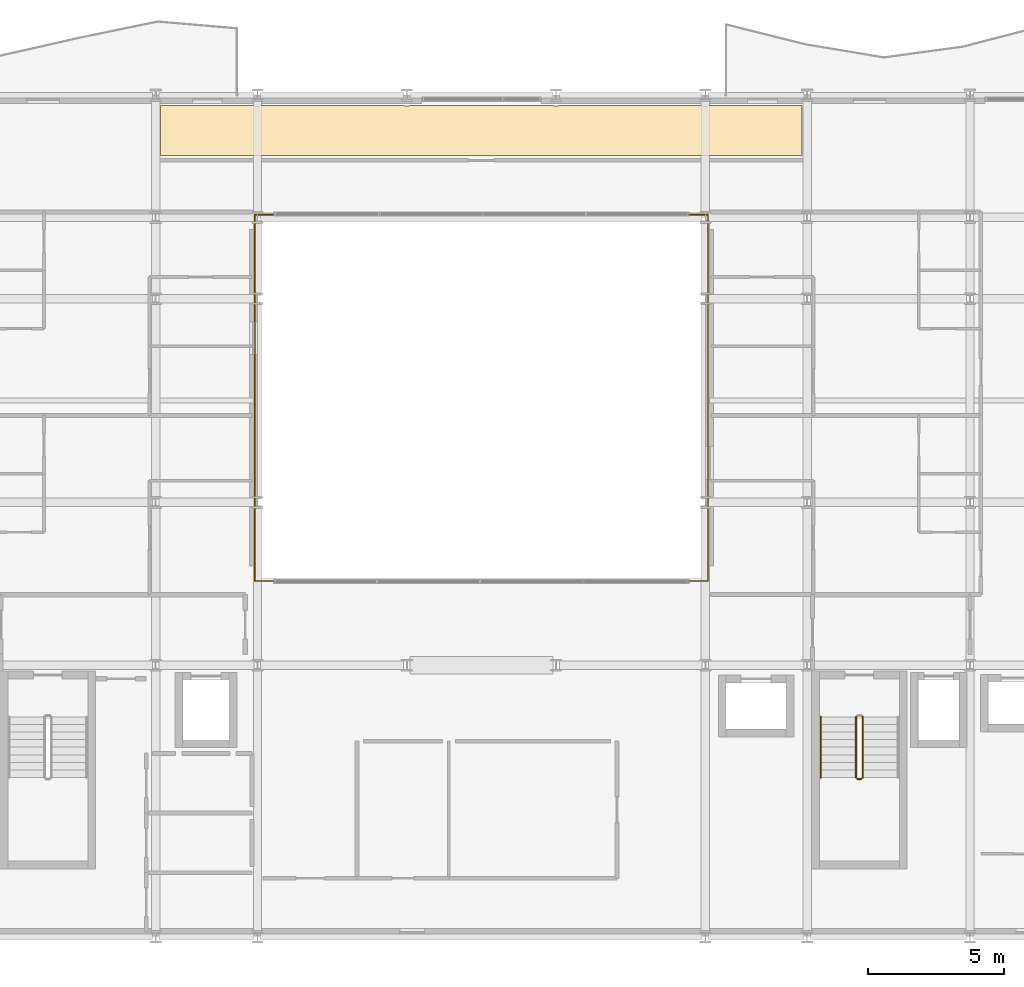
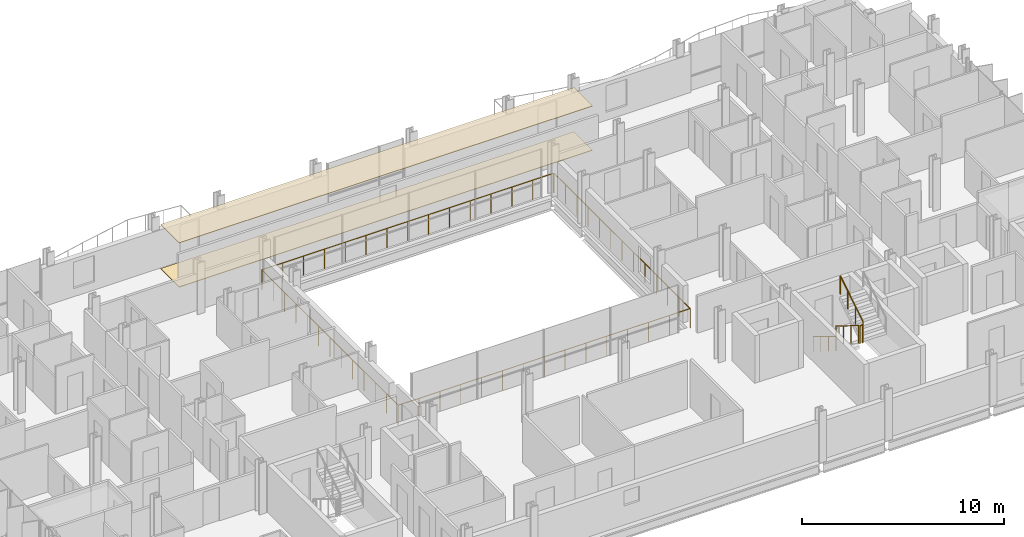
# One storey, part 37 of 39: 6 railings, 2 coverings.
"""IFC4 building model written with IfcOpenShell, lengths in metres."""

from ifc_helpers import new_model, si_unit, direction, frame, origin, origin_2d, place, context, subcontext, project, spatial, polyline, circle, outline, extrude, material, layer, layer_set, type_object, element, save


model = new_model("IFC4")

# Units and contexts
model_context = context("Model", 3, precision=1e-05, world=origin(), true_north=direction((0.0, 1.0)))
body_context = subcontext(model_context, "Body", "Model", "MODEL_VIEW")
ifc_project = project(units=[si_unit("LENGTHUNIT", "METRE"), si_unit("AREAUNIT", "SQUARE_METRE"), si_unit("VOLUMEUNIT", "CUBIC_METRE"), si_unit("PLANEANGLEUNIT", "RADIAN"), si_unit("MASSUNIT", "GRAM", prefix="KILO")], contexts=[model_context])

# Site, building, storey
site_placement = place(None, origin())
site = spatial("IfcSite", under=ifc_project, at=site_placement, CompositionType="ELEMENT")
building_placement = place(site_placement, origin())
building = spatial("IfcBuilding", under=site, at=building_placement, Name="Brevholm Reach", CompositionType="ELEMENT")
storey_placement = place(building_placement, frame((0.0, 0.0, 77.60009765625)))
storey = spatial("IfcBuildingStorey", under=building, at=storey_placement, Name="L22", CompositionType="ELEMENT", Elevation=77.60009765625)

# Coverings
ifc_material_1 = material(Name="Moisture-Resistant Skimmed Gypsum Plasterboard Ceiling", Category="gypsum")
ifc_layer_1 = layer(ifc_material_1, 0.030029296875)
ifc_layer_set_1 = layer_set([ifc_layer_1], Name="Moisture-Resistant Skimmed Gypsum Plasterboard Ceiling")
covering_type_1 = type_object("IfcCoveringType", Name="COV-CLG-GYP", PredefinedType="CEILING", material=ifc_layer_set_1)
covering_1_placement = place(storey_placement, frame((0.0, 0.0, 2.669921875)))
element("IfcCovering", 1, at=covering_1_placement, inside=storey, type_object=covering_type_1, Name="L22 Suspended Ceiling L22-81", PredefinedType="CEILING", context=body_context, shape_type="SweptSolid", body=[
    extrude(outline(polyline([(18.179931640625, 30.6201171875), (21.626220703125, 30.6201171875), (21.6337890625, 30.6171875), (21.672119140625, 30.607666015625), (21.710693359375, 30.601806640625), (21.75, 30.60009765625), (21.789306640625, 30.601806640625), (21.827880859375, 30.607666015625), (21.8662109375, 30.6171875), (21.873779296875, 30.6201171875), (27.126220703125, 30.6201171875), (27.1337890625, 30.6171875), (27.172119140625, 30.607666015625), (27.210693359375, 30.601806640625), (27.25, 30.60009765625), (27.289306640625, 30.601806640625), (27.327880859375, 30.607666015625), (27.3662109375, 30.6171875), (27.373779296875, 30.6201171875), (32.626220703125, 30.6201171875), (32.6337890625, 30.6171875), (32.672119140625, 30.607666015625), (32.710693359375, 30.601806640625), (32.75, 30.60009765625), (32.789306640625, 30.601806640625), (32.827880859375, 30.607666015625), (32.8662109375, 30.6171875), (32.873779296875, 30.6201171875), (38.126220703125, 30.6201171875), (38.1337890625, 30.6171875), (38.172119140625, 30.607666015625), (38.210693359375, 30.601806640625), (38.25, 30.60009765625), (38.289306640625, 30.601806640625), (38.327880859375, 30.607666015625), (38.3662109375, 30.6171875), (38.373779296875, 30.6201171875), (41.820068359375, 30.6201171875), (41.820068359375, 28.783935546875), (18.179931640625, 28.783935546875), (18.179931640625, 30.6201171875)])), origin(), (0.0, 0.0, 1.0), 0.030029296875),
])
ifc_material_2 = material(Name="Honed Portland-Aggregate Resin Terrazzo Flooring", Category="concrete")
ifc_layer_2 = layer(ifc_material_2, 0.031982421875)
ifc_layer_set_2 = layer_set([ifc_layer_2], Name="Honed Portland-Aggregate Resin Terrazzo Flooring")
covering_type_2 = type_object("IfcCoveringType", Name="COV-FLR-TRZ", PredefinedType="FLOORING", material=ifc_layer_set_2)
covering_2_placement = place(storey_placement, origin())
element("IfcCovering", 2, at=covering_2_placement, inside=storey, type_object=covering_type_2, Name="L22 Floor Finish L22-81", PredefinedType="FLOORING", context=body_context, shape_type="SweptSolid", body=[
    extrude(outline(polyline([(18.179931640625, 30.6201171875), (21.626220703125, 30.6201171875), (21.6337890625, 30.6171875), (21.672119140625, 30.607666015625), (21.710693359375, 30.601806640625), (21.75, 30.60009765625), (21.789306640625, 30.601806640625), (21.827880859375, 30.607666015625), (21.8662109375, 30.6171875), (21.873779296875, 30.6201171875), (27.126220703125, 30.6201171875), (27.1337890625, 30.6171875), (27.172119140625, 30.607666015625), (27.210693359375, 30.601806640625), (27.25, 30.60009765625), (27.289306640625, 30.601806640625), (27.327880859375, 30.607666015625), (27.3662109375, 30.6171875), (27.373779296875, 30.6201171875), (32.626220703125, 30.6201171875), (32.6337890625, 30.6171875), (32.672119140625, 30.607666015625), (32.710693359375, 30.601806640625), (32.75, 30.60009765625), (32.789306640625, 30.601806640625), (32.827880859375, 30.607666015625), (32.8662109375, 30.6171875), (32.873779296875, 30.6201171875), (38.126220703125, 30.6201171875), (38.1337890625, 30.6171875), (38.172119140625, 30.607666015625), (38.210693359375, 30.601806640625), (38.25, 30.60009765625), (38.289306640625, 30.601806640625), (38.327880859375, 30.607666015625), (38.3662109375, 30.6171875), (38.373779296875, 30.6201171875), (41.820068359375, 30.6201171875), (41.820068359375, 28.783935546875), (18.179931640625, 28.783935546875), (18.179931640625, 30.6201171875)])), origin(), (0.0, 0.0, 1.0), 0.031982421875),
])

# Railings
ifc_material_3 = material(Name="Brushed Stainless Steel EN 1.4401 Continuous Handrail", Category="steel")
railing_type_1 = type_object("IfcRailingType", Name="RAL-HND-950", PredefinedType="HANDRAIL", material=ifc_material_3)
railing_1_placement = place(storey_placement, frame((42.5, 8.10009765625, 0.172119140625)))
element("IfcRailing", 3, at=railing_1_placement, inside=storey, type_object=railing_type_1, Name="L22 ST-2 stair handrail 1", PredefinedType="HANDRAIL", context=body_context, shape_type="SweptSolid", body=[
    extrude(circle(Radius=0.02392578125, at=origin_2d()), frame((0.0, 0.0, 0.8857421875), z_axis=(0.0, -0.85178898068, 0.523885037382), x_axis=(1.0, 0.0, 0.0)), (0.0, 0.0, 1.0), 2.629638671875),
    extrude(circle(Radius=0.02099609375, at=origin_2d()), origin(), (0.0, 0.0, 1.0), 0.86181640625),
    extrude(circle(Radius=0.02099609375, at=origin_2d()), frame((0.0, -0.74658203125, 0.459228515625)), (0.0, 0.0, 1.0), 0.86181640625),
    extrude(circle(Radius=0.02099609375, at=origin_2d()), frame((0.0, -1.493408203125, 0.91845703125)), (0.0, 0.0, 1.0), 0.86181640625),
    extrude(circle(Radius=0.02099609375, at=origin_2d()), frame((0.0, -2.239990234375, 1.377685546875)), (0.0, 0.0, 1.0), 0.86181640625),
])
ifc_material_4 = material(Name="Painted Tubular Galvanised Steel S275JR Stair Guard", Category="steel")
railing_type_2 = type_object("IfcRailingType", Name="RAL-STG-1120", PredefinedType="BALUSTRADE", material=ifc_material_4)
railing_2_placement = place(storey_placement, frame((43.800048828125, 8.10009765625, 0.172119140625)))
element("IfcRailing", 4, at=railing_2_placement, inside=storey, type_object=railing_type_2, Name="L22 ST-2 stair guard 1", PredefinedType="BALUSTRADE", context=body_context, shape_type="SweptSolid", body=[
    extrude(circle(Radius=0.02392578125, at=origin_2d()), frame((0.0, 0.0, 1.076171875), z_axis=(0.0, -0.85178898068, 0.523885037382), x_axis=(1.0, 0.0, 0.0)), (0.0, 0.0, 1.0), 2.629638671875),
    extrude(circle(Radius=0.02099609375, at=origin_2d()), origin(), (0.0, 0.0, 1.0), 1.052001953125),
    extrude(circle(Radius=0.02099609375, at=origin_2d()), frame((0.0, -0.74658203125, 0.459228515625)), (0.0, 0.0, 1.0), 1.052001953125),
    extrude(circle(Radius=0.02099609375, at=origin_2d()), frame((0.0, -1.493408203125, 0.91845703125)), (0.0, 0.0, 1.0), 1.052001953125),
    extrude(circle(Radius=0.02099609375, at=origin_2d()), frame((0.0, -2.239990234375, 1.377685546875)), (0.0, 0.0, 1.0), 1.052001953125),
])
railing_3_placement = place(storey_placement, frame((43.85009765625, 5.81005859375, 1.5498046875)))
element("IfcRailing", 5, at=railing_3_placement, inside=storey, type_object=railing_type_2, Name="L22 ST-2 stair guard 2", PredefinedType="BALUSTRADE", context=body_context, shape_type="SweptSolid", body=[
    extrude(circle(Radius=0.02392578125, at=origin_2d()), frame((0.0, 0.0, 1.076171875), z_axis=(1.0, 0.0, 0.0), x_axis=(0.0, 1.0, 0.0)), (0.0, 0.0, 1.0), 0.14990234375),
    extrude(circle(Radius=0.02099609375, at=origin_2d()), origin(), (0.0, 0.0, 1.0), 1.052001953125),
    extrude(circle(Radius=0.02099609375, at=origin_2d()), frame((0.14990234375, 0.0, 0.0)), (0.0, 0.0, 1.0), 1.052001953125),
])
railing_4_placement = place(storey_placement, frame((44.050048828125, 5.860107421875, 1.72216796875)))
element("IfcRailing", 6, at=railing_4_placement, inside=storey, type_object=railing_type_2, Name="L22 ST-2 stair guard 3", PredefinedType="BALUSTRADE", context=body_context, shape_type="SweptSolid", body=[
    extrude(circle(Radius=0.02392578125, at=origin_2d()), frame((0.0, 0.0, 1.076171875), z_axis=(0.0, 0.85178898068, 0.523885037382), x_axis=(-1.0, 0.0, 0.0)), (0.0, 0.0, 1.0), 2.629638671875),
    extrude(circle(Radius=0.02099609375, at=origin_2d()), origin(), (0.0, 0.0, 1.0), 1.052001953125),
    extrude(circle(Radius=0.02099609375, at=origin_2d()), frame((0.0, 0.74658203125, 0.459228515625)), (0.0, 0.0, 1.0), 1.052001953125),
    extrude(circle(Radius=0.02099609375, at=origin_2d()), frame((0.0, 1.493408203125, 0.91845703125)), (0.0, 0.0, 1.0), 1.052001953125),
    extrude(circle(Radius=0.02099609375, at=origin_2d()), frame((0.0, 2.239990234375, 1.377685546875)), (0.0, 0.0, 1.0), 1.052001953125),
])
ifc_material_5 = material(Name="Brushed Stainless Steel EN 1.4401 and Laminated Glass", Category="steel")
railing_type_3 = type_object("IfcRailingType", Name="RAL-TERR-1200", PredefinedType="BALUSTRADE", material=ifc_material_5)
railing_5_placement = place(storey_placement, frame((21.64990234375, 13.10009765625, 0.0)))
element("IfcRailing", 7, at=railing_5_placement, inside=storey, type_object=railing_type_3, Name="L22 Guard Balustrade RAL-L22-AT-VOID-SW", PredefinedType="BALUSTRADE", context=body_context, shape_type="SweptSolid", body=[
    extrude(circle(Radius=0.02392578125, at=origin_2d()), frame((0.0, 0.0, 1.17578125), z_axis=(1.0, 0.0, 0.0), x_axis=(0.0, 1.0, 0.0)), (0.0, 0.0, 1.0), 16.7001953125),
    extrude(circle(Radius=0.02392578125, at=origin_2d()), frame((16.7001953125, 0.0, 1.17578125), z_axis=(0.0, 1.0, 0.0), x_axis=(-1.0, 0.0, 0.0)), (0.0, 0.0, 1.0), 13.47998046875),
    extrude(circle(Radius=0.02099609375, at=origin_2d()), origin(), (0.0, 0.0, 1.0), 1.15185546875),
    extrude(circle(Radius=0.02099609375, at=origin_2d()), frame((1.19287109375, 0.0, 0.0)), (0.0, 0.0, 1.0), 1.15185546875),
    extrude(circle(Radius=0.02099609375, at=origin_2d()), frame((2.3857421875, 0.0, 0.0)), (0.0, 0.0, 1.0), 1.15185546875),
    extrude(circle(Radius=0.02099609375, at=origin_2d()), frame((3.57861328125, 0.0, 0.0)), (0.0, 0.0, 1.0), 1.15185546875),
    extrude(circle(Radius=0.02099609375, at=origin_2d()), frame((4.771484375, 0.0, 0.0)), (0.0, 0.0, 1.0), 1.15185546875),
    extrude(circle(Radius=0.02099609375, at=origin_2d()), frame((5.96435546875, 0.0, 0.0)), (0.0, 0.0, 1.0), 1.15185546875),
    extrude(circle(Radius=0.02099609375, at=origin_2d()), frame((7.1572265625, 0.0, 0.0)), (0.0, 0.0, 1.0), 1.15185546875),
    extrude(circle(Radius=0.02099609375, at=origin_2d()), frame((8.35009765625, 0.0, 0.0)), (0.0, 0.0, 1.0), 1.15185546875),
    extrude(circle(Radius=0.02099609375, at=origin_2d()), frame((9.54296875, 0.0, 0.0)), (0.0, 0.0, 1.0), 1.15185546875),
    extrude(circle(Radius=0.02099609375, at=origin_2d()), frame((10.73583984375, 0.0, 0.0)), (0.0, 0.0, 1.0), 1.15185546875),
    extrude(circle(Radius=0.02099609375, at=origin_2d()), frame((11.9287109375, 0.0, 0.0)), (0.0, 0.0, 1.0), 1.15185546875),
    extrude(circle(Radius=0.02099609375, at=origin_2d()), frame((13.12158203125, 0.0, 0.0)), (0.0, 0.0, 1.0), 1.15185546875),
    extrude(circle(Radius=0.02099609375, at=origin_2d()), frame((14.314453125, 0.0, 0.0)), (0.0, 0.0, 1.0), 1.15185546875),
    extrude(circle(Radius=0.02099609375, at=origin_2d()), frame((15.50732421875, 0.0, 0.0)), (0.0, 0.0, 1.0), 1.15185546875),
    extrude(circle(Radius=0.02099609375, at=origin_2d()), frame((16.7001953125, 0.0, 0.0)), (0.0, 0.0, 1.0), 1.15185546875),
    extrude(circle(Radius=0.02099609375, at=origin_2d()), frame((16.7001953125, 1.123291015625, 0.0)), (0.0, 0.0, 1.0), 1.15185546875),
    extrude(circle(Radius=0.02099609375, at=origin_2d()), frame((16.7001953125, 2.24658203125, 0.0)), (0.0, 0.0, 1.0), 1.15185546875),
    extrude(circle(Radius=0.02099609375, at=origin_2d()), frame((16.7001953125, 3.3701171875, 0.0)), (0.0, 0.0, 1.0), 1.15185546875),
    extrude(circle(Radius=0.02099609375, at=origin_2d()), frame((16.7001953125, 4.493408203125, 0.0)), (0.0, 0.0, 1.0), 1.15185546875),
    extrude(circle(Radius=0.02099609375, at=origin_2d()), frame((16.7001953125, 5.61669921875, 0.0)), (0.0, 0.0, 1.0), 1.15185546875),
    extrude(circle(Radius=0.02099609375, at=origin_2d()), frame((16.7001953125, 6.739990234375, 0.0)), (0.0, 0.0, 1.0), 1.15185546875),
    extrude(circle(Radius=0.02099609375, at=origin_2d()), frame((16.7001953125, 7.86328125, 0.0)), (0.0, 0.0, 1.0), 1.15185546875),
    extrude(circle(Radius=0.02099609375, at=origin_2d()), frame((16.7001953125, 8.986572265625, 0.0)), (0.0, 0.0, 1.0), 1.15185546875),
    extrude(circle(Radius=0.02099609375, at=origin_2d()), frame((16.7001953125, 10.10986328125, 0.0)), (0.0, 0.0, 1.0), 1.15185546875),
    extrude(circle(Radius=0.02099609375, at=origin_2d()), frame((16.7001953125, 11.2333984375, 0.0)), (0.0, 0.0, 1.0), 1.15185546875),
    extrude(circle(Radius=0.02099609375, at=origin_2d()), frame((16.7001953125, 12.356689453125, 0.0)), (0.0, 0.0, 1.0), 1.15185546875),
    extrude(circle(Radius=0.02099609375, at=origin_2d()), frame((16.7001953125, 13.47998046875, 0.0)), (0.0, 0.0, 1.0), 1.15185546875),
])
railing_6_placement = place(storey_placement, frame((38.330078125, 26.60009765625, 0.0)))
element("IfcRailing", 8, at=railing_6_placement, inside=storey, type_object=railing_type_3, Name="L22 Guard Balustrade RAL-L22-AT-VOID-NE", PredefinedType="BALUSTRADE", context=body_context, shape_type="SweptSolid", body=[
    extrude(circle(Radius=0.02392578125, at=origin_2d()), frame((0.0, 0.0, 1.17578125), z_axis=(-1.0, 0.0, 0.0), x_axis=(0.0, -1.0, 0.0)), (0.0, 0.0, 1.0), 16.68017578125),
    extrude(circle(Radius=0.02392578125, at=origin_2d()), frame((-16.68017578125, 0.0, 1.17578125), z_axis=(0.0, -1.0, 0.0), x_axis=(1.0, 0.0, 0.0)), (0.0, 0.0, 1.0), 13.47998046875),
    extrude(circle(Radius=0.02099609375, at=origin_2d()), origin(), (0.0, 0.0, 1.0), 1.15185546875),
    extrude(circle(Radius=0.02099609375, at=origin_2d()), frame((-1.19140625, 0.0, 0.0)), (0.0, 0.0, 1.0), 1.15185546875),
    extrude(circle(Radius=0.02099609375, at=origin_2d()), frame((-2.3828125, 0.0, 0.0)), (0.0, 0.0, 1.0), 1.15185546875),
    extrude(circle(Radius=0.02099609375, at=origin_2d()), frame((-3.57421875, 0.0, 0.0)), (0.0, 0.0, 1.0), 1.15185546875),
    extrude(circle(Radius=0.02099609375, at=origin_2d()), frame((-4.765869140625, 0.0, 0.0)), (0.0, 0.0, 1.0), 1.15185546875),
    extrude(circle(Radius=0.02099609375, at=origin_2d()), frame((-5.957275390625, 0.0, 0.0)), (0.0, 0.0, 1.0), 1.15185546875),
    extrude(circle(Radius=0.02099609375, at=origin_2d()), frame((-7.148681640625, 0.0, 0.0)), (0.0, 0.0, 1.0), 1.15185546875),
    extrude(circle(Radius=0.02099609375, at=origin_2d()), frame((-8.340087890625, 0.0, 0.0)), (0.0, 0.0, 1.0), 1.15185546875),
    extrude(circle(Radius=0.02099609375, at=origin_2d()), frame((-9.531494140625, 0.0, 0.0)), (0.0, 0.0, 1.0), 1.15185546875),
    extrude(circle(Radius=0.02099609375, at=origin_2d()), frame((-10.722900390625, 0.0, 0.0)), (0.0, 0.0, 1.0), 1.15185546875),
    extrude(circle(Radius=0.02099609375, at=origin_2d()), frame((-11.914306640625, 0.0, 0.0)), (0.0, 0.0, 1.0), 1.15185546875),
    extrude(circle(Radius=0.02099609375, at=origin_2d()), frame((-13.10595703125, 0.0, 0.0)), (0.0, 0.0, 1.0), 1.15185546875),
    extrude(circle(Radius=0.02099609375, at=origin_2d()), frame((-14.29736328125, 0.0, 0.0)), (0.0, 0.0, 1.0), 1.15185546875),
    extrude(circle(Radius=0.02099609375, at=origin_2d()), frame((-15.48876953125, 0.0, 0.0)), (0.0, 0.0, 1.0), 1.15185546875),
    extrude(circle(Radius=0.02099609375, at=origin_2d()), frame((-16.68017578125, 0.0, 0.0)), (0.0, 0.0, 1.0), 1.15185546875),
    extrude(circle(Radius=0.02099609375, at=origin_2d()), frame((-16.68017578125, -1.123291015625, 0.0)), (0.0, 0.0, 1.0), 1.15185546875),
    extrude(circle(Radius=0.02099609375, at=origin_2d()), frame((-16.68017578125, -2.24658203125, 0.0)), (0.0, 0.0, 1.0), 1.15185546875),
    extrude(circle(Radius=0.02099609375, at=origin_2d()), frame((-16.68017578125, -3.3701171875, 0.0)), (0.0, 0.0, 1.0), 1.15185546875),
    extrude(circle(Radius=0.02099609375, at=origin_2d()), frame((-16.68017578125, -4.493408203125, 0.0)), (0.0, 0.0, 1.0), 1.15185546875),
    extrude(circle(Radius=0.02099609375, at=origin_2d()), frame((-16.68017578125, -5.61669921875, 0.0)), (0.0, 0.0, 1.0), 1.15185546875),
    extrude(circle(Radius=0.02099609375, at=origin_2d()), frame((-16.68017578125, -6.739990234375, 0.0)), (0.0, 0.0, 1.0), 1.15185546875),
    extrude(circle(Radius=0.02099609375, at=origin_2d()), frame((-16.68017578125, -7.86328125, 0.0)), (0.0, 0.0, 1.0), 1.15185546875),
    extrude(circle(Radius=0.02099609375, at=origin_2d()), frame((-16.68017578125, -8.986572265625, 0.0)), (0.0, 0.0, 1.0), 1.15185546875),
    extrude(circle(Radius=0.02099609375, at=origin_2d()), frame((-16.68017578125, -10.10986328125, 0.0)), (0.0, 0.0, 1.0), 1.15185546875),
    extrude(circle(Radius=0.02099609375, at=origin_2d()), frame((-16.68017578125, -11.2333984375, 0.0)), (0.0, 0.0, 1.0), 1.15185546875),
    extrude(circle(Radius=0.02099609375, at=origin_2d()), frame((-16.68017578125, -12.356689453125, 0.0)), (0.0, 0.0, 1.0), 1.15185546875),
    extrude(circle(Radius=0.02099609375, at=origin_2d()), frame((-16.68017578125, -13.47998046875, 0.0)), (0.0, 0.0, 1.0), 1.15185546875),
])

save(model, "model.ifc")
